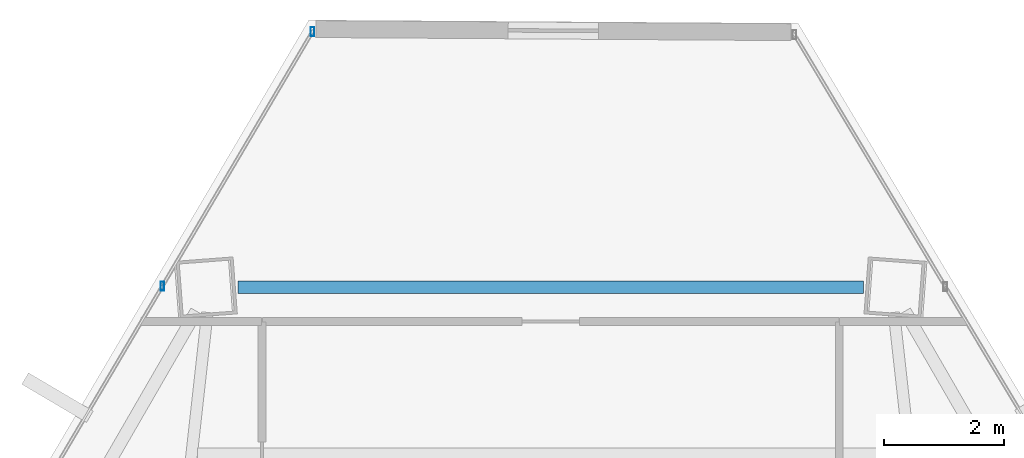
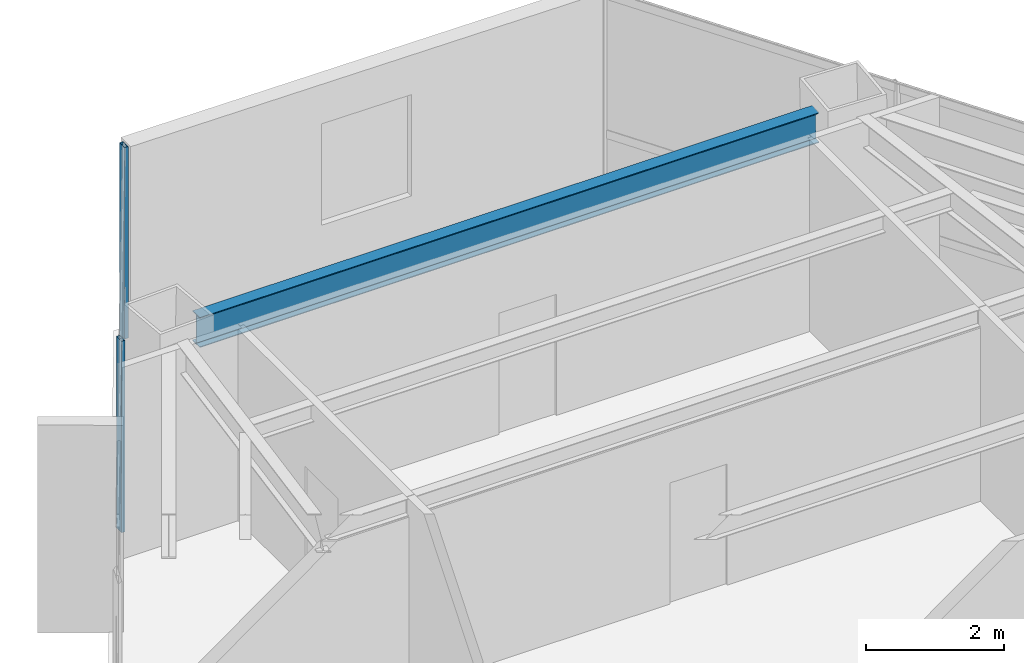
# One storey, part 29 of 40: 2 members, 1 beam, 1 element without a shape of its own.
"""IFC4 building model written with IfcOpenShell, lengths in metres."""

from ifc_helpers import new_model, si_unit, direction, frame, origin, origin_2d, place, context, subcontext, project, spatial, hollow_rectangle, i_section, extrude, source, transform, mapped, material, material_profile, profile_set, type_object, type_shapes, element, aggregate, save


model = new_model("IFC4")

# Units and contexts
model_context = context("Model", 3, precision=1e-05, world=origin(), true_north=direction((0.0, 1.0)))
body_context = subcontext(model_context, "Body", "Model", "MODEL_VIEW")
ifc_project = project(units=[si_unit("LENGTHUNIT", "METRE"), si_unit("AREAUNIT", "SQUARE_METRE"), si_unit("VOLUMEUNIT", "CUBIC_METRE"), si_unit("PLANEANGLEUNIT", "RADIAN"), si_unit("MASSUNIT", "GRAM", prefix="KILO")], contexts=[model_context])

# Site, building, storey
site_placement = place(None, origin())
site = spatial("IfcSite", under=ifc_project, at=site_placement, CompositionType="ELEMENT")
building_placement = place(site_placement, origin())
building = spatial("IfcBuilding", under=site, at=building_placement, Name="Caelisora Broadcast Tower", CompositionType="ELEMENT")
storey_placement = place(building_placement, frame((0.0, 0.0, 176.75)))
storey = spatial("IfcBuildingStorey", under=building, at=storey_placement, Name="L46", CompositionType="ELEMENT", Elevation=176.75)

# Beam
ifc_material_1 = material(Name="Steel Grade 350 (AS/NZS 3679.1)", Category="steel")
ifc_material_profile_1 = material_profile(ifc_material_1, i_section(OverallWidth=0.208984375, OverallDepth=0.532958984375, WebThickness=0.01025390625, FlangeThickness=0.015625, at=origin_2d()), Name="Steel Grade 350 (AS/NZS 3679.1)")
ifc_profile_set_1 = profile_set([ifc_material_profile_1], Name="Steel Grade 350 (AS/NZS 3679.1)")
beam_type = type_object("IfcBeamType", Name="PG05", PredefinedType="BEAM", material=ifc_profile_set_1)
shared_shape_1 = source(origin(), body_context, "Body", "SweptSolid", [
    extrude(i_section(OverallWidth=0.208984375, OverallDepth=0.532958984375, WebThickness=0.01025390625, FlangeThickness=0.015625, at=origin_2d()), origin(), (0.0, 0.0, 1.0), 10.40283203125),
])
type_shapes(beam_type, [shared_shape_1])
beam_placement = place(storey_placement, frame((43.201416015625, 46.541015625, 3.133544921875), z_axis=(-1.0, 0.0, 0.0), x_axis=(0.0, -1.0, 0.0)))
element("IfcBeam", 1, at=beam_placement, inside=storey, type_object=beam_type, Name="L46 beam PG05", PredefinedType="BEAM", context=body_context, shape_type="MappedRepresentation", body=[
    mapped(shared_shape_1, transform((0.0, 0.0, 0.0), scale=1.0)),
])

# Curtain wall, members
ifc_material_2 = material(Name="Unitised Aluminium and Low-E Glass Curtain Wall", Category="glass")
curtain_wall_type = type_object("IfcCurtainWallType", Name="CW-Z3", PredefinedType="NOTDEFINED", material=ifc_material_2)
curtain_wall_placement = place(storey_placement, origin())
curtain_wall = element("IfcCurtainWall", 2, at=curtain_wall_placement, inside=storey, type_object=curtain_wall_type, Name="L46 curtain wall CW-Z3", PredefinedType="NOTDEFINED")
ifc_material_3 = material(Name="Aluminium 6063-T6 Anodised Terracotta Bronze", Category="aluminium")
ifc_material_profile_2 = material_profile(ifc_material_3, hollow_rectangle(XDim=0.06005859375, YDim=0.14990234375, WallThickness=0.00341796875, at=origin_2d()), Name="Aluminium 6063-T6 Anodised Terracotta Bronze")
ifc_profile_set_2 = profile_set([ifc_material_profile_2], Name="Aluminium 6063-T6 Anodised Terracotta Bronze")
member_type = type_object("IfcMemberType", Name="CWM-03", PredefinedType="MULLION", material=ifc_profile_set_2)
shared_shape_2 = source(origin(), body_context, "Body", "SweptSolid", [
    extrude(hollow_rectangle(XDim=0.06005859375, YDim=0.14990234375, WallThickness=0.00341796875, at=origin_2d()), origin(), (0.0, 0.0, 1.0), 3.39990234375),
])
type_shapes(member_type, [shared_shape_2])
member_1_placement = place(storey_placement, frame((31.54248046875, 46.560302734375, 0.0), z_axis=(0.0, 0.0, 1.0), x_axis=(1.0, 0.0, 0.0)))
member_1 = element("IfcMember", 3, at=member_1_placement, type_object=member_type, Name="L46-CW-B11 mullion #2", PredefinedType="MULLION", context=body_context, shape_type="MappedRepresentation", body=[
    mapped(shared_shape_2, transform((0.0, 0.0, 0.0), scale=1.0)),
])
member_2_placement = place(storey_placement, frame((34.03857421875, 50.7919921875, 0.0), z_axis=(0.0, 0.0, 1.0), x_axis=(1.0, 0.0, 0.0)))
member_2 = element("IfcMember", 4, at=member_2_placement, type_object=member_type, Name="L46-CW-B11 mullion #3", PredefinedType="MULLION", context=body_context, shape_type="MappedRepresentation", body=[
    mapped(shared_shape_2, transform((0.0, 0.0, 0.0), scale=1.0)),
])
aggregate(curtain_wall, [member_1, member_2])

save(model, "model.ifc")
